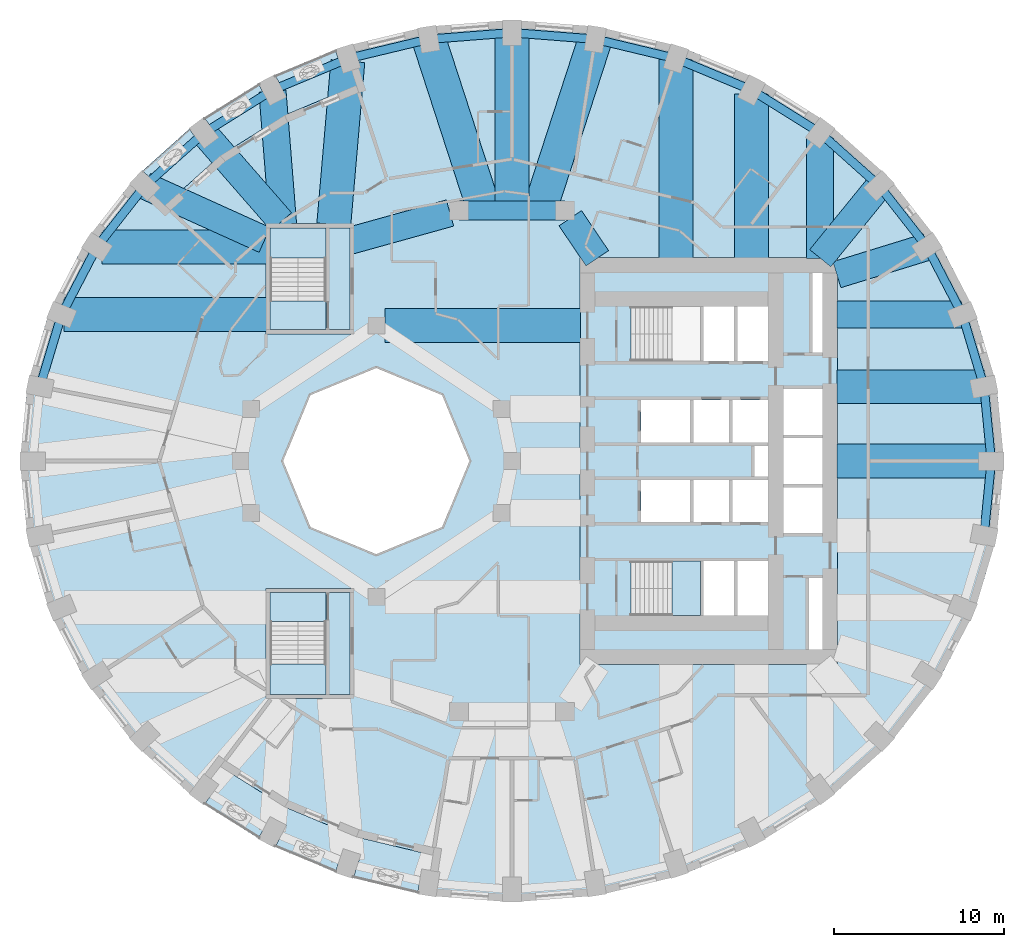
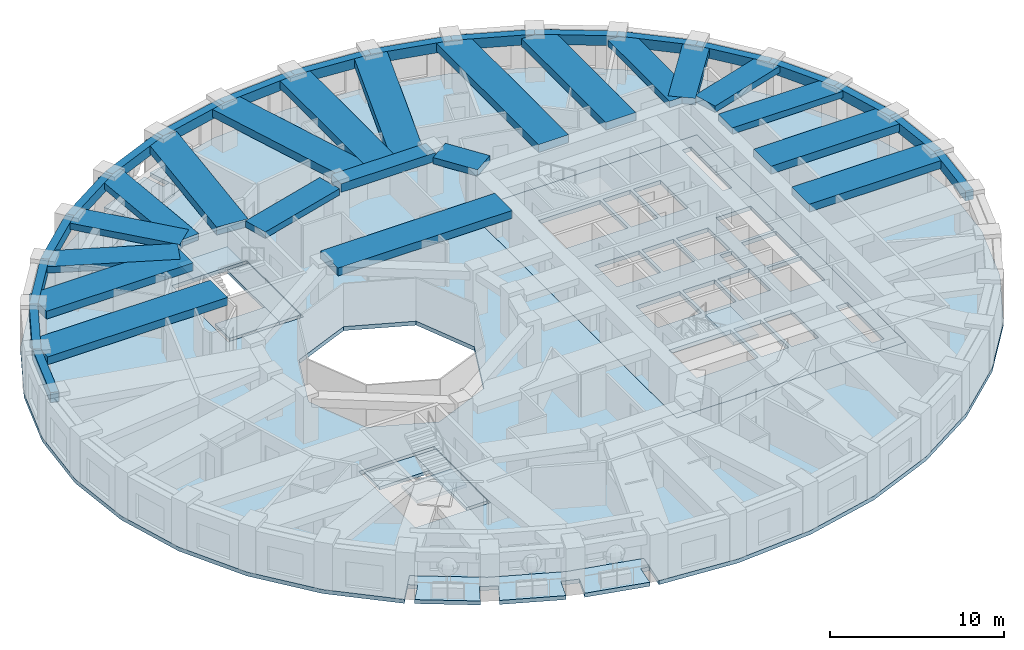
# One storey, part 2 of 13: 39 beams, 11 slabs, 3 elements without a shape of their own.
"""IFC4 building model written with IfcOpenShell, lengths in metres."""

import ifcopenshell
import ifcopenshell.guid

model = None  # the IFC model being written
_history = None  # IfcOwnerHistory: only IFC2X3 demands one
_inside = {}  # id of a spatial element -> (the spatial element, [elements in it])
_under = {}  # id of a project, library or spatial element -> (it, [spatial elements below it])
_declared = {}  # id of a project -> (the project, [libraries it declares])
_typed = {}  # id of a type object -> (the type object, [elements of that type])
_made_of = {}  # id of a material, layer set ... -> (it, [elements and type objects made of it])


def new_model(schema):
    """Start an empty IFC model of exactly this schema.

    Asked for "IFC4X3", IfcOpenShell would pick the latest addendum, in which some entities
    have other attributes; the version numbers below select the first issue.
    IFC2X3 requires an IfcOwnerHistory on every rooted entity: one is made here for all.
    """
    global model, _history
    if schema == "IFC4X3":
        model = ifcopenshell.file(schema_version=(4, 3, 0, 0))
    else:
        model = ifcopenshell.file(schema=schema)
    _inside.clear()
    _under.clear()
    _declared.clear()
    _typed.clear()
    _made_of.clear()
    _history = None
    if model.schema == "IFC2X3":
        org = make("IfcOrganization", Name="unknown")
        user = make(
            "IfcPersonAndOrganization",
            ThePerson=make("IfcPerson", FamilyName="unknown"),
            TheOrganization=org,
        )
        app = make(
            "IfcApplication",
            ApplicationDeveloper=org,
            Version="unknown",
            ApplicationFullName="unknown",
            ApplicationIdentifier="unknown",
        )
        _history = make(
            "IfcOwnerHistory",
            OwningUser=user,
            OwningApplication=app,
            ChangeAction="ADDED",
            CreationDate=0,
        )
    return model


def make(cls, **values):
    """One entity of the class cls with the attributes given. An attribute that is None is left unset."""
    return model.create_entity(
        cls, **{name: value for name, value in values.items() if value is not None}
    )


def rooted(cls, **values):
    """An entity with a GlobalId (a new one), such as an element, a storey or a relation."""
    return make(cls, GlobalId=ifcopenshell.guid.new(), OwnerHistory=_history, **values)


def si_unit(unit_type, name, prefix=None):
    """IfcSIUnit, for example si_unit("LENGTHUNIT", "METRE", prefix="MILLI")."""
    return make("IfcSIUnit", UnitType=unit_type, Prefix=prefix, Name=name)


def assignment(units):
    """IfcUnitAssignment: the units of a project."""
    return None if units is None else make("IfcUnitAssignment", Units=units)


def point(xyz):
    """IfcCartesianPoint."""
    return None if xyz is None else make("IfcCartesianPoint", Coordinates=xyz)


def direction(xyz):
    """IfcDirection."""
    return None if xyz is None else make("IfcDirection", DirectionRatios=xyz)


def frame(location, z_axis=None, x_axis=None):
    """IfcAxis2Placement3D, a coordinate frame: its origin and axes. An axis left out is left unset."""
    return make(
        "IfcAxis2Placement3D",
        Location=point(location),
        Axis=direction(z_axis),
        RefDirection=direction(x_axis),
    )


def frame_2d(location, x_axis=None):
    """IfcAxis2Placement2D, a coordinate frame in the plane: its origin and x axis."""
    return make(
        "IfcAxis2Placement2D", Location=point(location), RefDirection=direction(x_axis)
    )


def origin():
    """The frame at (0, 0, 0) with its axes left unset."""
    return frame((0.0, 0.0, 0.0))


def origin_2d():
    """The frame at (0, 0) in the plane with its x axis left unset."""
    return frame_2d((0.0, 0.0))


def place(relative_to, where):
    """IfcLocalPlacement: puts the frame where relative to a parent placement (None: the world)."""
    return make(
        "IfcLocalPlacement", PlacementRelTo=relative_to, RelativePlacement=where
    )


def context(
    kind, dimensions, precision=None, world=None, true_north=None, identifier=None
):
    """IfcGeometricRepresentationContext, for example the 3D "Model" context."""
    return make(
        "IfcGeometricRepresentationContext",
        ContextIdentifier=identifier,
        ContextType=kind,
        CoordinateSpaceDimension=dimensions,
        Precision=precision,
        WorldCoordinateSystem=world,
        TrueNorth=true_north,
    )


def subcontext(parent, identifier, kind, view, scale=None):
    """IfcGeometricRepresentationSubContext, for example "Body" below "Model"."""
    return make(
        "IfcGeometricRepresentationSubContext",
        ContextIdentifier=identifier,
        ContextType=kind,
        ParentContext=parent,
        TargetScale=scale,
        TargetView=view,
    )


def project(units=None, contexts=None):
    """IfcProject with its units and contexts."""
    return rooted(
        "IfcProject",
        Name="project",
        RepresentationContexts=contexts,
        UnitsInContext=assignment(units),
    )


def spatial(cls, under=None, at=None, **own):
    """A site, building, storey or space (cls), placed at a placement, below another one or the project."""
    s = rooted(cls, ObjectPlacement=at, **own)
    if under is not None:
        _under.setdefault(under.id(), (under, []))[1].append(s)
    return s


def polyline(points):
    """IfcPolyline through the points."""
    return make("IfcPolyline", Points=[point(p) for p in points])


def profile(cls, at=None, kind="AREA", **sizes):
    """A parametric profile (cls). Its sizes go by their IFC names, for example OverallWidth=200.0."""
    return make(cls, ProfileType=kind, Position=at, **sizes)


def rectangle(**sizes):
    """IfcRectangleProfileDef."""
    return profile("IfcRectangleProfileDef", **sizes)


def outline(outer, holes=None, kind="AREA"):
    """IfcArbitraryClosedProfileDef: a profile drawn as a closed curve; with holes, ...WithVoids."""
    if holes is None:
        return make("IfcArbitraryClosedProfileDef", ProfileType=kind, OuterCurve=outer)
    return make(
        "IfcArbitraryProfileDefWithVoids",
        ProfileType=kind,
        OuterCurve=outer,
        InnerCurves=holes,
    )


def extrude(swept, where, along, depth):
    """IfcExtrudedAreaSolid: the profile swept, set in the frame where, extruded along a direction by depth."""
    return make(
        "IfcExtrudedAreaSolid",
        SweptArea=swept,
        Position=where,
        ExtrudedDirection=direction(along),
        Depth=depth,
    )


def shape(context_of_items, identifier, shape_type, items):
    """IfcShapeRepresentation: the items that make up one representation, for example the "Body"."""
    return make(
        "IfcShapeRepresentation",
        ContextOfItems=context_of_items,
        RepresentationIdentifier=identifier,
        RepresentationType=shape_type,
        Items=items,
    )


def material(Name=None, Category=None):
    """IfcMaterial."""
    return make("IfcMaterial", Name=Name, Category=Category)


def layer(
    of_material, thickness, ventilated=None, Name=None, Category=None, Priority=None
):
    """IfcMaterialLayer: one layer of a wall or slab, of a material (None: an air gap)."""
    return make(
        "IfcMaterialLayer",
        Material=of_material,
        LayerThickness=thickness,
        IsVentilated=ventilated,
        Name=Name,
        Category=Category,
        Priority=Priority,
    )


def layer_set(layers, Name=None):
    """IfcMaterialLayerSet."""
    return make("IfcMaterialLayerSet", MaterialLayers=layers, LayerSetName=Name)


def material_profile(
    of_material, cross_section, Name=None, Category=None, Priority=None
):
    """IfcMaterialProfile: a cross section and its material."""
    return make(
        "IfcMaterialProfile",
        Name=Name,
        Material=of_material,
        Profile=cross_section,
        Priority=Priority,
        Category=Category,
    )


def profile_set(profiles, Name=None, composite=None):
    """IfcMaterialProfileSet."""
    return make(
        "IfcMaterialProfileSet",
        Name=Name,
        MaterialProfiles=profiles,
        CompositeProfile=composite,
    )


def made_of(thing, what):
    """Note that an element or type object is made of a material, layer set ...; save() writes the relation."""
    if what is not None:
        _made_of.setdefault(what.id(), (what, []))[1].append(thing)
    return thing


def type_object(cls, material=None, **own):
    """A type object (cls), such as IfcWallType, which elements share."""
    return made_of(rooted(cls, **own), material)


def element(
    cls,
    number,
    at=None,
    inside=None,
    cuts=None,
    type_object=None,
    material=None,
    context=None,
    identifier="Body",
    shape_type=None,
    held_by="IfcProductDefinitionShape",
    body=None,
    shapes=None,
    **own,
):
    """One element of the class cls, such as IfcWall. Its Tag is "e" and its number.

    at: its placement. inside: the storey or other place that contains it. cuts: it is an
    opening in that element (IfcRelVoidsElement). A single representation is given by context,
    identifier, shape_type and body (its items); several are given by shapes. held_by: the class
    of the entity that holds the representations. save() writes the other relations.
    """
    e = rooted(cls, Tag="e%d" % number, ObjectPlacement=at, **own)
    if body is not None:
        shapes = [shape(context, identifier, shape_type, body)]
    if shapes is not None:
        e.Representation = make(held_by, Representations=shapes)
    if inside is not None:
        _inside.setdefault(inside.id(), (inside, []))[1].append(e)
    if cuts is not None:
        rooted(
            "IfcRelVoidsElement", RelatingBuildingElement=cuts, RelatedOpeningElement=e
        )
    if type_object is not None:
        _typed.setdefault(type_object.id(), (type_object, []))[1].append(e)
    return made_of(e, material)


def aggregate(whole, parts):
    """IfcRelAggregates: a whole, such as a stair, and the parts it consists of."""
    return rooted("IfcRelAggregates", RelatingObject=whole, RelatedObjects=parts)


def save(model, path):
    """Write the relations noted so far, then the file.

    IfcRelAggregates (storeys below a building ...), IfcRelContainedInSpatialStructure (elements
    in a storey), IfcRelDefinesByType, IfcRelAssociatesMaterial and IfcRelDeclares: one each for
    every whole, place, type object, material and project.
    """
    for whole, parts in _under.values():
        aggregate(whole, parts)
    for where, things in _inside.values():
        rooted(
            "IfcRelContainedInSpatialStructure",
            RelatedElements=things,
            RelatingStructure=where,
        )
    for kind, things in _typed.values():
        rooted("IfcRelDefinesByType", RelatedObjects=things, RelatingType=kind)
    for what, things in _made_of.values():
        rooted("IfcRelAssociatesMaterial", RelatedObjects=things, RelatingMaterial=what)
    for by, libraries in _declared.values():
        rooted("IfcRelDeclares", RelatingContext=by, RelatedDefinitions=libraries)
    model.write(path)


model = new_model("IFC4")

# Units and contexts
model_context = context("Model", 3, precision=1e-05, world=origin(), true_north=direction((0.0, 1.0)))
body_context = subcontext(model_context, "Body", "Model", "MODEL_VIEW")
ifc_project = project(units=[si_unit("LENGTHUNIT", "METRE"), si_unit("AREAUNIT", "SQUARE_METRE"), si_unit("VOLUMEUNIT", "CUBIC_METRE"), si_unit("PLANEANGLEUNIT", "RADIAN"), si_unit("MASSUNIT", "GRAM", prefix="KILO")], contexts=[model_context])

# Site, building, storey
site_placement = place(None, origin())
site = spatial("IfcSite", under=ifc_project, at=site_placement, CompositionType="ELEMENT")
building_placement = place(site_placement, origin())
building = spatial("IfcBuilding", under=site, at=building_placement, Name="Taillehof Tower", CompositionType="ELEMENT")
storey_placement = place(building_placement, frame((0.0, 0.0, 44.800048828125)))
storey = spatial("IfcBuildingStorey", under=building, at=storey_placement, Name="L11", CompositionType="ELEMENT", Elevation=44.800048828125)

# Beams
ifc_material_1 = material(Name="Concrete C50/60", Category="concrete")
ifc_material_profile_1 = material_profile(ifc_material_1, rectangle(XDim=1.10009765625, YDim=0.60009765625, at=origin_2d()), Name="RC 1100x600")
ifc_profile_set_1 = profile_set([ifc_material_profile_1], Name="Concrete C50/60")
beam_type_1 = type_object("IfcBeamType", Name="Mid-ring beam C50/60 1100x600", PredefinedType="BEAM", material=ifc_profile_set_1)
beam_1_placement = place(storey_placement, frame((3.125732421875, 14.772216796875, 2.719970703125), z_axis=(-1.0, 0.0, 0.0), x_axis=(0.0, -1.0, 0.0)))
element("IfcBeam", 1, at=beam_1_placement, inside=storey, type_object=beam_type_1, Name="Mid-ring beam MB01", PredefinedType="BEAM", context=body_context, shape_type="SweptSolid", body=[
    extrude(rectangle(XDim=1.10009765625, YDim=0.60009765625, at=origin_2d()), origin(), (0.0, 0.0, 1.0), 6.25146484375),
])
ifc_material_2 = material(Name="Concrete C50/60", Category="concrete")
ifc_material_profile_2 = material_profile(ifc_material_2, rectangle(XDim=1.60009765625, YDim=0.449951171875, at=origin_2d()), Name="RC 1600x450")
ifc_profile_set_2 = profile_set([ifc_material_profile_2], Name="Concrete C50/60")
beam_type_2 = type_object("IfcBeamType", Name="Radial band beam C50/60 1600x450", PredefinedType="BEAM", material=ifc_profile_set_2)
beam_2_placement = place(storey_placement, frame((26.490478515625, 8.635986328125, 2.794921875), z_axis=(-1.0, 0.0, 0.0), x_axis=(0.0, -1.0, 0.0)))
element("IfcBeam", 2, at=beam_2_placement, inside=storey, type_object=beam_type_2, Name="Radial band beam RB03", PredefinedType="BEAM", context=body_context, shape_type="SweptSolid", body=[
    extrude(rectangle(XDim=1.60009765625, YDim=0.449951171875, at=origin_2d()), origin(), (0.0, 0.0, 1.0), 7.340576171875),
])
beam_3_placement = place(storey_placement, frame((24.46533203125, 12.625, 2.794921875), z_axis=(-0.955535654338, -0.294875589511, 0.0), x_axis=(0.294875589511, -0.955535654338, 0.0)))
element("IfcBeam", 3, at=beam_3_placement, inside=storey, type_object=beam_type_2, Name="Radial band beam RB04", PredefinedType="BEAM", context=body_context, shape_type="SweptSolid", body=[
    extrude(rectangle(XDim=1.60009765625, YDim=0.449951171875, at=origin_2d()), origin(), (0.0, 0.0, 1.0), 5.560546875),
])
beam_4_placement = place(storey_placement, frame((21.640869140625, 16.23046875, 2.794921875), z_axis=(-0.630988373846, -0.775792286679, 0.0), x_axis=(0.775792286679, -0.630988373846, 0.0)))
element("IfcBeam", 4, at=beam_4_placement, inside=storey, type_object=beam_type_2, Name="Radial band beam RB05", PredefinedType="BEAM", context=body_context, shape_type="SweptSolid", body=[
    extrude(rectangle(XDim=1.60009765625, YDim=0.449951171875, at=origin_2d()), origin(), (0.0, 0.0, 1.0), 5.503173828125),
])
beam_5_placement = place(storey_placement, frame((18.15869140625, 19.05517578125, 2.794921875), z_axis=(0.0, -1.0, 0.0), x_axis=(1.0, 0.0, 0.0)))
element("IfcBeam", 5, at=beam_5_placement, inside=storey, type_object=beam_type_2, Name="Radial band beam RB06", PredefinedType="BEAM", context=body_context, shape_type="SweptSolid", body=[
    extrude(rectangle(XDim=1.60009765625, YDim=0.449951171875, at=origin_2d()), origin(), (0.0, 0.0, 1.0), 7.105224609375),
])
beam_6_placement = place(storey_placement, frame((-14.119873046875, 21.802978515625, 2.794921875), z_axis=(0.079184740988, -0.996859958467, 0.0), x_axis=(0.996859958467, 0.079184740988, 0.0)))
element("IfcBeam", 6, at=beam_6_placement, inside=storey, type_object=beam_type_2, Name="Radial band beam RB13", PredefinedType="BEAM", context=body_context, shape_type="SweptSolid", body=[
    extrude(rectangle(XDim=1.60009765625, YDim=0.449951171875, at=origin_2d()), origin(), (0.0, 0.0, 1.0), 7.87744140625),
])
beam_7_placement = place(storey_placement, frame((-18.15869140625, 19.342529296875, 2.794921875), z_axis=(0.65721824087, -0.753700327628, 0.0), x_axis=(0.753700327628, 0.65721824087, 0.0)))
element("IfcBeam", 7, at=beam_7_placement, inside=storey, type_object=beam_type_2, Name="Radial band beam RB14", PredefinedType="BEAM", context=body_context, shape_type="SweptSolid", body=[
    extrude(rectangle(XDim=1.60009765625, YDim=0.449951171875, at=origin_2d()), origin(), (0.0, 0.0, 1.0), 6.9384765625),
])
beam_8_placement = place(storey_placement, frame((-21.632568359375, 16.226806640625, 2.794921875), z_axis=(0.911100590789, -0.412184077161, 0.0), x_axis=(0.412184077161, 0.911100590789, 0.0)))
element("IfcBeam", 8, at=beam_8_placement, inside=storey, type_object=beam_type_2, Name="Radial band beam RB15", PredefinedType="BEAM", context=body_context, shape_type="SweptSolid", body=[
    extrude(rectangle(XDim=1.60009765625, YDim=0.449951171875, at=origin_2d()), origin(), (0.0, 0.0, 1.0), 7.740966796875),
])
beam_9_placement = place(storey_placement, frame((3.433837890625, 14.31640625, 2.794921875), z_axis=(0.560112043398, -0.828416862962, 0.0), x_axis=(0.828416862962, 0.560112043398, 0.0)))
element("IfcBeam", 9, at=beam_9_placement, inside=storey, type_object=beam_type_2, Name="Inner band beam IB205", PredefinedType="BEAM", context=body_context, shape_type="SweptSolid", body=[
    extrude(rectangle(XDim=1.60009765625, YDim=0.449951171875, at=origin_2d()), origin(), (0.0, 0.0, 1.0), 2.84619140625),
])
beam_10_placement = place(storey_placement, frame((-3.655517578125, 14.624755859375, 2.794921875), z_axis=(-0.963459369536, -0.267854518821, 0.0), x_axis=(0.267854518821, -0.963459369536, 0.0)))
element("IfcBeam", 10, at=beam_10_placement, inside=storey, type_object=beam_type_2, Name="Inner band beam IB206", PredefinedType="BEAM", context=body_context, shape_type="SweptSolid", body=[
    extrude(rectangle(XDim=1.60009765625, YDim=0.449951171875, at=origin_2d()), origin(), (0.0, 0.0, 1.0), 6.096923828125),
])
ifc_material_3 = material(Name="Concrete C50/60", Category="concrete")
ifc_material_profile_3 = material_profile(ifc_material_3, rectangle(XDim=2.0, YDim=0.550048828125, at=origin_2d()), Name="RC 2000x550")
ifc_profile_set_3 = profile_set([ifc_material_profile_3], Name="Concrete C50/60")
beam_type_3 = type_object("IfcBeamType", Name="Radial band beam C50/60 2000x550", PredefinedType="BEAM", material=ifc_profile_set_3)
beam_11_placement = place(storey_placement, frame((28.25, 0.0, 2.744873046875), z_axis=(-1.0, 0.0, 0.0), x_axis=(0.0, -1.0, 0.0)))
element("IfcBeam", 11, at=beam_11_placement, inside=storey, type_object=beam_type_3, Name="Radial band beam RB01", PredefinedType="BEAM", context=body_context, shape_type="SweptSolid", body=[
    extrude(rectangle(XDim=2.0, YDim=0.550048828125, at=origin_2d()), origin(), (0.0, 0.0, 1.0), 9.10009765625),
])
beam_12_placement = place(storey_placement, frame((27.82080078125, 4.384521484375, 2.744873046875), z_axis=(-1.0, 0.0, 0.0), x_axis=(0.0, -1.0, 0.0)))
element("IfcBeam", 12, at=beam_12_placement, inside=storey, type_object=beam_type_3, Name="Radial band beam RB02", PredefinedType="BEAM", context=body_context, shape_type="SweptSolid", body=[
    extrude(rectangle(XDim=2.0, YDim=0.550048828125, at=origin_2d()), origin(), (0.0, 0.0, 1.0), 8.6708984375),
])
beam_13_placement = place(storey_placement, frame((14.125, 21.63232421875, 2.744873046875), z_axis=(0.0, -1.0, 0.0), x_axis=(1.0, 0.0, 0.0)))
element("IfcBeam", 13, at=beam_13_placement, inside=storey, type_object=beam_type_3, Name="Radial band beam RB07", PredefinedType="BEAM", context=body_context, shape_type="SweptSolid", body=[
    extrude(rectangle(XDim=2.0, YDim=0.550048828125, at=origin_2d()), origin(), (0.0, 0.0, 1.0), 9.682373046875),
])
beam_14_placement = place(storey_placement, frame((9.662109375, 23.664794921875, 2.744873046875), z_axis=(0.0, -1.0, 0.0), x_axis=(1.0, 0.0, 0.0)))
element("IfcBeam", 14, at=beam_14_placement, inside=storey, type_object=beam_type_3, Name="Radial band beam RB08", PredefinedType="BEAM", context=body_context, shape_type="SweptSolid", body=[
    extrude(rectangle(XDim=2.0, YDim=0.550048828125, at=origin_2d()), origin(), (0.0, 0.0, 1.0), 11.71484375),
])
beam_15_placement = place(storey_placement, frame((4.905517578125, 24.866455078125, 2.744873046875), z_axis=(-0.309014294595, -0.951057393503, 0.0), x_axis=(0.951057393503, -0.309014294595, 0.0)))
element("IfcBeam", 15, at=beam_15_placement, inside=storey, type_object=beam_type_3, Name="Radial band beam RB09", PredefinedType="BEAM", context=body_context, shape_type="SweptSolid", body=[
    extrude(rectangle(XDim=2.0, YDim=0.550048828125, at=origin_2d()), origin(), (0.0, 0.0, 1.0), 10.61376953125),
])
beam_16_placement = place(storey_placement, frame((0.0, 25.25, 2.744873046875), z_axis=(0.0, -1.0, 0.0), x_axis=(1.0, 0.0, 0.0)))
element("IfcBeam", 16, at=beam_16_placement, inside=storey, type_object=beam_type_3, Name="Radial band beam RB10", PredefinedType="BEAM", context=body_context, shape_type="SweptSolid", body=[
    extrude(rectangle(XDim=2.0, YDim=0.550048828125, at=origin_2d()), origin(), (0.0, 0.0, 1.0), 10.477783203125),
])
beam_17_placement = place(storey_placement, frame((-4.905517578125, 24.866455078125, 2.744873046875), z_axis=(0.309014294595, -0.951057393503, 0.0), x_axis=(0.951057393503, 0.309014294595, 0.0)))
element("IfcBeam", 17, at=beam_17_placement, inside=storey, type_object=beam_type_3, Name="Radial band beam RB11", PredefinedType="BEAM", context=body_context, shape_type="SweptSolid", body=[
    extrude(rectangle(XDim=2.0, YDim=0.550048828125, at=origin_2d()), origin(), (0.0, 0.0, 1.0), 10.61376953125),
])
beam_18_placement = place(storey_placement, frame((-9.675048828125, 23.575927734375, 2.744873046875), z_axis=(-0.085841202752, -0.996308831593, 0.0), x_axis=(0.996308831593, -0.085841202752, 0.0)))
element("IfcBeam", 18, at=beam_18_placement, inside=storey, type_object=beam_type_3, Name="Radial band beam RB12", PredefinedType="BEAM", context=body_context, shape_type="SweptSolid", body=[
    extrude(rectangle(XDim=2.0, YDim=0.550048828125, at=origin_2d()), origin(), (0.0, 0.0, 1.0), 9.661376953125),
])
beam_19_placement = place(storey_placement, frame((-24.172607421875, 12.625, 2.744873046875), z_axis=(1.0, 0.0, 0.0), x_axis=(0.0, 1.0, 0.0)))
element("IfcBeam", 19, at=beam_19_placement, inside=storey, type_object=beam_type_3, Name="Radial band beam RB16", PredefinedType="BEAM", context=body_context, shape_type="SweptSolid", body=[
    extrude(rectangle(XDim=2.0, YDim=0.550048828125, at=origin_2d()), origin(), (0.0, 0.0, 1.0), 9.72265625),
])
beam_20_placement = place(storey_placement, frame((-26.408935546875, 8.635986328125, 2.744873046875), z_axis=(1.0, 0.0, 0.0), x_axis=(0.0, 1.0, 0.0)))
element("IfcBeam", 20, at=beam_20_placement, inside=storey, type_object=beam_type_3, Name="Radial band beam RB17", PredefinedType="BEAM", context=body_context, shape_type="SweptSolid", body=[
    extrude(rectangle(XDim=2.0, YDim=0.550048828125, at=origin_2d()), origin(), (0.0, 0.0, 1.0), 11.958984375),
])
beam_21_placement = place(storey_placement, frame((-7.5, 8.0, 2.744873046875), z_axis=(1.0, 0.0, 0.0), x_axis=(0.0, 1.0, 0.0)))
element("IfcBeam", 21, at=beam_21_placement, inside=storey, type_object=beam_type_3, Name="Inner band beam IB105", PredefinedType="BEAM", context=body_context, shape_type="SweptSolid", body=[
    extrude(rectangle(XDim=2.0, YDim=0.550048828125, at=origin_2d()), origin(), (0.0, 0.0, 1.0), 11.550048828125),
])
ifc_material_4 = material(Name="Concrete C50/60", Category="concrete")
ifc_material_profile_4 = material_profile(ifc_material_4, rectangle(XDim=0.5, YDim=0.699951171875, at=origin_2d()), Name="RC 500x700")
ifc_profile_set_4 = profile_set([ifc_material_profile_4], Name="Concrete C50/60")
beam_type_4 = type_object("IfcBeamType", Name="Spandrel beam C50/60 500x700", PredefinedType="SPANDREL", material=ifc_profile_set_4)
beam_22_placement = place(storey_placement, frame((28.25, 0.0, 2.669921875), z_axis=(-0.097423973567, 0.99524297002, 0.0), x_axis=(-0.99524297002, -0.097423973567, 0.0)))
element("IfcBeam", 22, at=beam_22_placement, inside=storey, type_object=beam_type_4, Name="Spandrel beam SB01", PredefinedType="SPANDREL", context=body_context, shape_type="SweptSolid", body=[
    extrude(rectangle(XDim=0.5, YDim=0.699951171875, at=origin_2d()), origin(), (0.0, 0.0, 1.0), 4.405517578125),
])
beam_23_placement = place(storey_placement, frame((27.82080078125, 4.384521484375, 2.669921875), z_axis=(-0.287135925407, 0.957889847707, 0.0), x_axis=(-0.957889847707, -0.287135925407, 0.0)))
element("IfcBeam", 23, at=beam_23_placement, inside=storey, type_object=beam_type_4, Name="Spandrel beam SB02", PredefinedType="SPANDREL", context=body_context, shape_type="SweptSolid", body=[
    extrude(rectangle(XDim=0.5, YDim=0.699951171875, at=origin_2d()), origin(), (0.0, 0.0, 1.0), 4.4384765625),
])
beam_24_placement = place(storey_placement, frame((26.54638671875, 8.635986328125, 2.669921875), z_axis=(-0.462536335232, 0.886600326297, 0.0), x_axis=(-0.886600326297, -0.462536335232, 0.0)))
element("IfcBeam", 24, at=beam_24_placement, inside=storey, type_object=beam_type_4, Name="Spandrel beam SB03", PredefinedType="SPANDREL", context=body_context, shape_type="SweptSolid", body=[
    extrude(rectangle(XDim=0.5, YDim=0.699951171875, at=origin_2d()), origin(), (0.0, 0.0, 1.0), 4.499267578125),
])
beam_25_placement = place(storey_placement, frame((24.46533203125, 12.625, 2.669921875), z_axis=(-0.616686200373, 0.787209076593, 0.0), x_axis=(-0.787209076593, -0.616686200373, 0.0)))
element("IfcBeam", 25, at=beam_25_placement, inside=storey, type_object=beam_type_4, Name="Spandrel beam SB04", PredefinedType="SPANDREL", context=body_context, shape_type="SweptSolid", body=[
    extrude(rectangle(XDim=0.5, YDim=0.699951171875, at=origin_2d()), origin(), (0.0, 0.0, 1.0), 4.580078125),
])
beam_26_placement = place(storey_placement, frame((21.640869140625, 16.23046875, 2.669921875), z_axis=(-0.745621283614, 0.666369943366, 0.0), x_axis=(-0.666369943366, -0.745621283614, 0.0)))
element("IfcBeam", 26, at=beam_26_placement, inside=storey, type_object=beam_type_4, Name="Spandrel beam SB05", PredefinedType="SPANDREL", context=body_context, shape_type="SweptSolid", body=[
    extrude(rectangle(XDim=0.5, YDim=0.699951171875, at=origin_2d()), origin(), (0.0, 0.0, 1.0), 4.670166015625),
])
beam_27_placement = place(storey_placement, frame((18.15869140625, 19.342529296875, 2.669921875), z_axis=(-0.847658018883, 0.530543007703, 0.0), x_axis=(-0.530543007703, -0.847658018883, 0.0)))
element("IfcBeam", 27, at=beam_27_placement, inside=storey, type_object=beam_type_4, Name="Spandrel beam SB06", PredefinedType="SPANDREL", context=body_context, shape_type="SweptSolid", body=[
    extrude(rectangle(XDim=0.5, YDim=0.699951171875, at=origin_2d()), origin(), (0.0, 0.0, 1.0), 4.758544921875),
])
beam_28_placement = place(storey_placement, frame((14.125, 21.8671875, 2.669921875), z_axis=(-0.923035088053, 0.384715773297, 0.0), x_axis=(-0.384715773297, -0.923035088053, 0.0)))
element("IfcBeam", 28, at=beam_28_placement, inside=storey, type_object=beam_type_4, Name="Spandrel beam SB07", PredefinedType="SPANDREL", context=body_context, shape_type="SweptSolid", body=[
    extrude(rectangle(XDim=0.5, YDim=0.699951171875, at=origin_2d()), origin(), (0.0, 0.0, 1.0), 4.8349609375),
])
beam_29_placement = place(storey_placement, frame((9.662109375, 23.727294921875, 2.669921875), z_axis=(-0.9724995553, 0.232904733616, 0.0), x_axis=(-0.232904733616, -0.9724995553, 0.0)))
element("IfcBeam", 29, at=beam_29_placement, inside=storey, type_object=beam_type_4, Name="Spandrel beam SB08", PredefinedType="SPANDREL", context=body_context, shape_type="SweptSolid", body=[
    extrude(rectangle(XDim=0.5, YDim=0.699951171875, at=origin_2d()), origin(), (0.0, 0.0, 1.0), 4.89111328125),
])
for number, where, z_axis, x_axis, name in (
    (30, (4.905517578125, 24.866455078125, 2.669921875), (-0.996957383661, 0.077948541767, 0.0), (-0.077948541767, -0.996957383661, 0.0), "Spandrel beam SB09"),
    (31, (0.0, 25.25, 2.669921875), (-0.996957383661, -0.077948541767, 0.0), (0.077948541767, -0.996957383661, 0.0), "Spandrel beam SB10"),
):
    element("IfcBeam", number, at=place(storey_placement, frame(where, z_axis=z_axis, x_axis=x_axis)), inside=storey, type_object=beam_type_4, Name=name, PredefinedType="SPANDREL", context=body_context, shape_type="SweptSolid", body=[
        extrude(rectangle(XDim=0.5, YDim=0.699951171875, at=origin_2d()), origin(), (0.0, 0.0, 1.0), 4.92041015625),
    ])
beam_30_placement = place(storey_placement, frame((-4.905517578125, 24.866455078125, 2.669921875), z_axis=(-0.9724995553, -0.232904733616, 0.0), x_axis=(0.232904733616, -0.9724995553, 0.0)))
element("IfcBeam", 32, at=beam_30_placement, inside=storey, type_object=beam_type_4, Name="Spandrel beam SB11", PredefinedType="SPANDREL", context=body_context, shape_type="SweptSolid", body=[
    extrude(rectangle(XDim=0.5, YDim=0.699951171875, at=origin_2d()), origin(), (0.0, 0.0, 1.0), 4.89111328125),
])
beam_31_placement = place(storey_placement, frame((-9.662109375, 23.727294921875, 2.669921875), z_axis=(-0.923035088053, -0.384715773297, 0.0), x_axis=(0.384715773297, -0.923035088053, 0.0)))
element("IfcBeam", 33, at=beam_31_placement, inside=storey, type_object=beam_type_4, Name="Spandrel beam SB12", PredefinedType="SPANDREL", context=body_context, shape_type="SweptSolid", body=[
    extrude(rectangle(XDim=0.5, YDim=0.699951171875, at=origin_2d()), origin(), (0.0, 0.0, 1.0), 4.8349609375),
])
beam_32_placement = place(storey_placement, frame((-14.125, 21.8671875, 2.669921875), z_axis=(-0.847658018883, -0.530543007703, 0.0), x_axis=(0.530543007703, -0.847658018883, 0.0)))
element("IfcBeam", 34, at=beam_32_placement, inside=storey, type_object=beam_type_4, Name="Spandrel beam SB13", PredefinedType="SPANDREL", context=body_context, shape_type="SweptSolid", body=[
    extrude(rectangle(XDim=0.5, YDim=0.699951171875, at=origin_2d()), origin(), (0.0, 0.0, 1.0), 4.758544921875),
])
beam_33_placement = place(storey_placement, frame((-18.15869140625, 19.342529296875, 2.669921875), z_axis=(-0.745621283614, -0.666369943366, 0.0), x_axis=(0.666369943366, -0.745621283614, 0.0)))
element("IfcBeam", 35, at=beam_33_placement, inside=storey, type_object=beam_type_4, Name="Spandrel beam SB14", PredefinedType="SPANDREL", context=body_context, shape_type="SweptSolid", body=[
    extrude(rectangle(XDim=0.5, YDim=0.699951171875, at=origin_2d()), origin(), (0.0, 0.0, 1.0), 4.670166015625),
])
beam_34_placement = place(storey_placement, frame((-21.640869140625, 16.23046875, 2.669921875), z_axis=(-0.616686200373, -0.787209076593, 0.0), x_axis=(0.787209076593, -0.616686200373, 0.0)))
element("IfcBeam", 36, at=beam_34_placement, inside=storey, type_object=beam_type_4, Name="Spandrel beam SB15", PredefinedType="SPANDREL", context=body_context, shape_type="SweptSolid", body=[
    extrude(rectangle(XDim=0.5, YDim=0.699951171875, at=origin_2d()), origin(), (0.0, 0.0, 1.0), 4.580078125),
])
beam_35_placement = place(storey_placement, frame((-24.46533203125, 12.625, 2.669921875), z_axis=(-0.462536335232, -0.886600326297, 0.0), x_axis=(0.886600326297, -0.462536335232, 0.0)))
element("IfcBeam", 37, at=beam_35_placement, inside=storey, type_object=beam_type_4, Name="Spandrel beam SB16", PredefinedType="SPANDREL", context=body_context, shape_type="SweptSolid", body=[
    extrude(rectangle(XDim=0.5, YDim=0.699951171875, at=origin_2d()), origin(), (0.0, 0.0, 1.0), 4.499267578125),
])
beam_36_placement = place(storey_placement, frame((-26.54638671875, 8.635986328125, 2.669921875), z_axis=(-0.287135925407, -0.957889847707, 0.0), x_axis=(0.957889847707, -0.287135925407, 0.0)))
element("IfcBeam", 38, at=beam_36_placement, inside=storey, type_object=beam_type_4, Name="Spandrel beam SB17", PredefinedType="SPANDREL", context=body_context, shape_type="SweptSolid", body=[
    extrude(rectangle(XDim=0.5, YDim=0.699951171875, at=origin_2d()), origin(), (0.0, 0.0, 1.0), 4.4384765625),
])
beam_37_placement = place(storey_placement, frame((27.82080078125, -4.384521484375, 2.669921875), z_axis=(0.097423973567, 0.99524297002, 0.0), x_axis=(-0.99524297002, 0.097423973567, 0.0)))
element("IfcBeam", 39, at=beam_37_placement, inside=storey, type_object=beam_type_4, Name="Spandrel beam SB36", PredefinedType="SPANDREL", context=body_context, shape_type="SweptSolid", body=[
    extrude(rectangle(XDim=0.5, YDim=0.699951171875, at=origin_2d()), origin(), (0.0, 0.0, 1.0), 4.405517578125),
])

# Slabs
ifc_material_5 = material(Name="Concrete C40/50", Category="concrete")
ifc_layer_1 = layer(ifc_material_5, 0.280029296875)
ifc_layer_set_1 = layer_set([ifc_layer_1], Name="Balcony slab 280")
slab_type_1 = type_object("IfcSlabType", Name="Balcony slab 280", PredefinedType="USERDEFINED", material=ifc_layer_set_1)
slab_1_placement = place(storey_placement, frame((0.0, 0.0, -0.280029296875)))
element("IfcSlab", 40, at=slab_1_placement, inside=storey, type_object=slab_type_1, Name="Balcony L11 pocket 7", ObjectType="BALCONY", PredefinedType="USERDEFINED", context=body_context, shape_type="SweptSolid", body=[
    extrude(outline(polyline([(-4.6611328125, -23.234375), (-4.801513671875, -24.12353515625), (-5.331787109375, -24.039794921875), (-5.559326171875, -25.479248046875), (-9.357421875, -24.56689453125), (-8.906494140625, -23.184814453125), (-9.9521484375, -22.843505859375), (-10.404296875, -24.22900390625), (-13.958984375, -22.742919921875), (-13.291748046875, -21.453857421875), (-14.2685546875, -20.9482421875), (-14.938232421875, -22.24169921875), (-18.139404296875, -20.23193359375), (-17.268310546875, -19.073974609375), (-17.73974609375, -18.71923828125), (-17.197998046875, -17.999267578125), (-13.396728515625, -20.38525390625), (-9.174072265625, -22.150390625), (-4.6611328125, -23.234375)])), origin(), (0.0, 0.0, 1.0), 0.280029296875),
])
slab_2_placement = place(storey_placement, frame((0.0, 0.0, -0.280029296875)))
element("IfcSlab", 41, at=slab_2_placement, inside=storey, type_object=slab_type_1, Name="Balcony L11 pocket 3", ObjectType="BALCONY", PredefinedType="USERDEFINED", context=body_context, shape_type="SweptSolid", body=[
    extrude(outline(polyline([(-20.463134765625, 15.072509765625), (-21.120849609375, 15.688232421875), (-20.71728515625, 16.119384765625), (-21.77392578125, 17.108154296875), (-19.02197265625, 19.575439453125), (-18.1474609375, 18.41259765625), (-17.268310546875, 19.073974609375), (-18.139404296875, 20.23193359375), (-14.938232421875, 22.24169921875), (-14.2685546875, 20.9482421875), (-13.291748046875, 21.453857421875), (-13.958984375, 22.742919921875), (-10.404296875, 24.22900390625), (-9.9521484375, 22.843505859375), (-9.453369140625, 23.00634765625), (-9.174072265625, 22.150390625), (-13.396728515625, 20.38525390625), (-17.197998046875, 17.999267578125), (-20.463134765625, 15.072509765625)])), origin(), (0.0, 0.0, 1.0), 0.280029296875),
])
ifc_material_6 = material(Name="Concrete C40/50", Category="concrete")
ifc_layer_2 = layer(ifc_material_6, 0.280029296875)
ifc_layer_set_2 = layer_set([ifc_layer_2], Name="Core floor slab C40/50 280")
slab_type_2 = type_object("IfcSlabType", Name="Core floor slab C40/50 280", PredefinedType="FLOOR", material=ifc_layer_set_2)
slab_3_placement = place(storey_placement, frame((0.0, 0.0, -0.280029296875)))
element("IfcSlab", 42, at=slab_3_placement, inside=storey, type_object=slab_type_2, Name="Core floor L11", PredefinedType="FLOOR", context=body_context, shape_type="SweptSolid", body=[
    extrude(outline(polyline([(4.0, -12.0), (4.0, 12.0), (19.199951171875, 12.0), (19.199951171875, -12.0), (4.0, -12.0)]), holes=[polyline([(7.00048828125, -9.10009765625), (11.10009765625, -9.10009765625), (11.10009765625, -5.89990234375), (7.00048828125, -5.89990234375), (7.00048828125, -9.10009765625)]), polyline([(13.10009765625, -9.10009765625), (13.10009765625, -5.89990234375), (11.300048828125, -5.89990234375), (11.300048828125, -9.10009765625), (13.10009765625, -9.10009765625)]), polyline([(10.5, -3.60009765625), (10.5, -1.10009765625), (7.60009765625, -1.10009765625), (7.60009765625, -3.60009765625), (10.5, -3.60009765625)]), polyline([(12.800048828125, -3.60009765625), (12.800048828125, -1.10009765625), (10.699951171875, -1.10009765625), (10.699951171875, -3.60009765625), (12.800048828125, -3.60009765625)]), polyline([(10.5, 1.10009765625), (10.5, 3.60009765625), (7.60009765625, 3.60009765625), (7.60009765625, 1.10009765625), (10.5, 1.10009765625)]), polyline([(12.800048828125, 1.10009765625), (12.800048828125, 3.60009765625), (10.699951171875, 3.60009765625), (10.699951171875, 1.10009765625), (12.800048828125, 1.10009765625)]), polyline([(15.10009765625, 1.10009765625), (15.10009765625, 3.60009765625), (13.0, 3.60009765625), (13.0, 1.10009765625), (15.10009765625, 1.10009765625)]), polyline([(11.300048828125, 5.89990234375), (13.10009765625, 5.89990234375), (13.10009765625, 9.10009765625), (11.300048828125, 9.10009765625), (11.300048828125, 5.89990234375)]), polyline([(7.00048828125, 5.89990234375), (11.10009765625, 5.89990234375), (11.10009765625, 9.10009765625), (7.00048828125, 9.10009765625), (7.00048828125, 5.89990234375)]), polyline([(18.300048828125, -11.10009765625), (18.300048828125, -6.89990234375), (17.5, -6.89990234375), (17.5, -11.10009765625), (18.300048828125, -11.10009765625)]), polyline([(15.10009765625, -9.10009765625), (15.10009765625, -5.89990234375), (13.300048828125, -5.89990234375), (13.300048828125, -9.10009765625), (15.10009765625, -9.10009765625)]), polyline([(18.300048828125, -4.25), (18.300048828125, -1.550048828125), (16.0, -1.550048828125), (16.0, -4.25), (18.300048828125, -4.25)]), polyline([(15.10009765625, -3.60009765625), (15.10009765625, -1.10009765625), (13.0, -1.10009765625), (13.0, -3.60009765625), (15.10009765625, -3.60009765625)]), polyline([(15.10009765625, -0.89990234375), (15.10009765625, 0.89990234375), (14.300048828125, 0.89990234375), (14.300048828125, -0.89990234375), (15.10009765625, -0.89990234375)]), polyline([(18.300048828125, -1.35009765625), (18.300048828125, 1.35009765625), (16.0, 1.35009765625), (16.0, -1.35009765625), (18.300048828125, -1.35009765625)]), polyline([(18.300048828125, 1.550048828125), (18.300048828125, 4.25), (16.0, 4.25), (16.0, 1.550048828125), (18.300048828125, 1.550048828125)]), polyline([(13.300048828125, 5.89990234375), (15.10009765625, 5.89990234375), (15.10009765625, 9.10009765625), (13.300048828125, 9.10009765625), (13.300048828125, 5.89990234375)]), polyline([(17.699951171875, 6.39990234375), (18.300048828125, 6.39990234375), (18.300048828125, 11.10009765625), (17.699951171875, 11.10009765625), (17.699951171875, 6.39990234375)])]), origin(), (0.0, 0.0, 1.0), 0.280029296875),
])
ifc_material_7 = material(Name="Concrete C40/50", Category="concrete")
ifc_layer_3 = layer(ifc_material_7, 0.280029296875)
ifc_layer_set_3 = layer_set([ifc_layer_3], Name="Floor slab 280")
slab_type_3 = type_object("IfcSlabType", Name="Floor slab 280", PredefinedType="FLOOR", material=ifc_layer_set_3)
slab_4_placement = place(storey_placement, frame((0.0, 0.0, -0.280029296875)))
element("IfcSlab", 43, at=slab_4_placement, inside=storey, type_object=slab_type_3, Name="Floor slab L11", PredefinedType="FLOOR", context=body_context, shape_type="SweptSolid", body=[
    extrude(outline(polyline([(29.0, 0.0), (28.559326171875, 4.514892578125), (27.251220703125, 8.892578125), (25.11474609375, 13.0), (22.21533203125, 16.71240234375), (18.640869140625, 19.917236328125), (14.5, 22.5166015625), (9.918701171875, 24.431884765625), (5.035888671875, 25.60498046875), (0.0, 26.0), (-5.035888671875, 25.60498046875), (-9.918701171875, 24.431884765625), (-9.174072265625, 22.150390625), (-13.396728515625, 20.38525390625), (-17.197998046875, 17.999267578125), (-20.462890625, 15.072509765625), (-22.21533203125, 16.71240234375), (-25.11474609375, 13.0), (-27.251220703125, 8.892578125), (-28.559326171875, 4.514892578125), (-29.0, 0.0), (-28.559326171875, -4.514892578125), (-27.251220703125, -8.892578125), (-25.11474609375, -13.0), (-22.21533203125, -16.71240234375), (-18.640869140625, -19.917236328125), (-17.197998046875, -17.999267578125), (-13.396728515625, -20.38525390625), (-9.174072265625, -22.150390625), (-4.660888671875, -23.234375), (-5.035888671875, -25.60498046875), (0.0, -26.0), (5.035888671875, -25.60498046875), (9.918701171875, -24.431884765625), (14.5, -22.5166015625), (18.640869140625, -19.917236328125), (22.21533203125, -16.71240234375), (25.11474609375, -13.0), (27.251220703125, -8.892578125), (28.559326171875, -4.514892578125), (29.0, 0.0)]), holes=[polyline([(-14.5, -7.5), (-9.5, -7.5), (-9.5, -14.0), (-14.5, -14.0), (-14.5, -7.5)]), polyline([(-8.0, -5.5), (-11.88916015625, -3.88916015625), (-13.5, 0.0), (-11.88916015625, 3.88916015625), (-8.0, 5.5), (-4.11083984375, 3.88916015625), (-2.5, 0.0), (-4.11083984375, -3.88916015625), (-8.0, -5.5)]), polyline([(19.199951171875, 12.0), (19.199951171875, -12.0), (4.0, -12.0), (4.0, 12.0), (19.199951171875, 12.0)]), polyline([(-14.5, 14.0), (-9.5, 14.0), (-9.5, 7.5), (-14.5, 7.5), (-14.5, 14.0)])]), origin(), (0.0, 0.0, 1.0), 0.280029296875),
])

# Stair, slab
ifc_material_8 = material(Name="Concrete C40/50", Category="concrete")
stair_type = type_object("IfcStairType", Name="Exit stair half-turn", PredefinedType="HALF_TURN_STAIR", material=ifc_material_8)
stair_1_placement = place(storey_placement, origin())
stair_1 = element("IfcStair", 44, at=stair_1_placement, inside=storey, type_object=stair_type, Name="Exit stair S2", PredefinedType="HALF_TURN_STAIR")
ifc_material_9 = material(Name="Concrete C40/50", Category="concrete")
ifc_layer_4 = layer(ifc_material_9, 0.2099609375)
ifc_layer_set_4 = layer_set([ifc_layer_4], Name="Stair landing C40/50 210")
slab_type_4 = type_object("IfcSlabType", Name="Stair landing C40/50 210", PredefinedType="LANDING", material=ifc_layer_set_4)
slab_5_placement = place(storey_placement, frame((0.0, 0.0, 1.43994140625)))
slab_5 = element("IfcSlab", 45, at=slab_5_placement, type_object=slab_type_4, Name="S2 landing 1", PredefinedType="LANDING", context=body_context, shape_type="SweptSolid", body=[
    extrude(outline(polyline([(9.429931640625, -5.89990234375), (11.10009765625, -5.89990234375), (11.10009765625, -9.10009765625), (9.429931640625, -9.10009765625), (9.429931640625, -5.89990234375)])), origin(), (0.0, 0.0, 1.0), 0.2099609375),
])
aggregate(stair_1, [slab_5])

stair_2_placement = place(storey_placement, origin())
stair_2 = element("IfcStair", 46, at=stair_2_placement, inside=storey, type_object=stair_type, Name="Exit stair S3", PredefinedType="HALF_TURN_STAIR")
slab_6_placement = place(storey_placement, frame((0.0, 0.0, 1.43994140625)))
slab_6 = element("IfcSlab", 47, at=slab_6_placement, type_object=slab_type_4, Name="S3 landing 1", PredefinedType="LANDING", context=body_context, shape_type="SweptSolid", body=[
    extrude(outline(polyline([(-14.25, 11.969970703125), (-14.25, 13.75), (-10.949951171875, 13.75), (-10.949951171875, 11.969970703125), (-14.25, 11.969970703125)])), origin(), (0.0, 0.0, 1.0), 0.2099609375),
])
aggregate(stair_2, [slab_6])

stair_3_placement = place(storey_placement, origin())
stair_3 = element("IfcStair", 48, at=stair_3_placement, inside=storey, type_object=stair_type, Name="Exit stair S4", PredefinedType="HALF_TURN_STAIR")
slab_7_placement = place(storey_placement, frame((0.0, 0.0, 1.43994140625)))
slab_7 = element("IfcSlab", 49, at=slab_7_placement, type_object=slab_type_4, Name="S4 landing 1", PredefinedType="LANDING", context=body_context, shape_type="SweptSolid", body=[
    extrude(outline(polyline([(-14.25, -11.969970703125), (-14.25, -13.75), (-10.949951171875, -13.75), (-10.949951171875, -11.969970703125), (-14.25, -11.969970703125)])), origin(), (0.0, 0.0, 1.0), 0.2099609375),
])
aggregate(stair_3, [slab_7])

# Slabs
slab_8_placement = place(storey_placement, frame((0.0, 0.0, -0.2099609375)))
element("IfcSlab", 50, at=slab_8_placement, inside=storey, type_object=slab_type_4, Name="Stair S3 floor landing", PredefinedType="LANDING", context=body_context, shape_type="SweptSolid", body=[
    extrude(outline(polyline([(-14.25, 7.75), (-14.25, 9.449951171875), (-10.949951171875, 9.449951171875), (-10.949951171875, 7.75), (-14.25, 7.75)])), origin(), (0.0, 0.0, 1.0), 0.2099609375),
])
slab_9_placement = place(storey_placement, frame((0.0, 0.0, -0.2099609375)))
element("IfcSlab", 51, at=slab_9_placement, inside=storey, type_object=slab_type_4, Name="Stair lobby S3 floor", PredefinedType="LANDING", context=body_context, shape_type="SweptSolid", body=[
    extrude(outline(polyline([(-10.949951171875, 7.75), (-9.550048828125, 7.75), (-9.550048828125, 13.75), (-10.949951171875, 13.75), (-10.949951171875, 7.75)])), origin(), (0.0, 0.0, 1.0), 0.2099609375),
])
slab_10_placement = place(storey_placement, frame((0.0, 0.0, -0.2099609375)))
element("IfcSlab", 52, at=slab_10_placement, inside=storey, type_object=slab_type_4, Name="Stair S4 floor landing", PredefinedType="LANDING", context=body_context, shape_type="SweptSolid", body=[
    extrude(outline(polyline([(-14.25, -7.75), (-14.25, -9.449951171875), (-10.949951171875, -9.449951171875), (-10.949951171875, -7.75), (-14.25, -7.75)])), origin(), (0.0, 0.0, 1.0), 0.2099609375),
])
slab_11_placement = place(storey_placement, frame((0.0, 0.0, -0.2099609375)))
element("IfcSlab", 53, at=slab_11_placement, inside=storey, type_object=slab_type_4, Name="Stair lobby S4 floor", PredefinedType="LANDING", context=body_context, shape_type="SweptSolid", body=[
    extrude(outline(polyline([(-10.949951171875, -13.75), (-9.550048828125, -13.75), (-9.550048828125, -7.75), (-10.949951171875, -7.75), (-10.949951171875, -13.75)])), origin(), (0.0, 0.0, 1.0), 0.2099609375),
])

save(model, "model.ifc")
